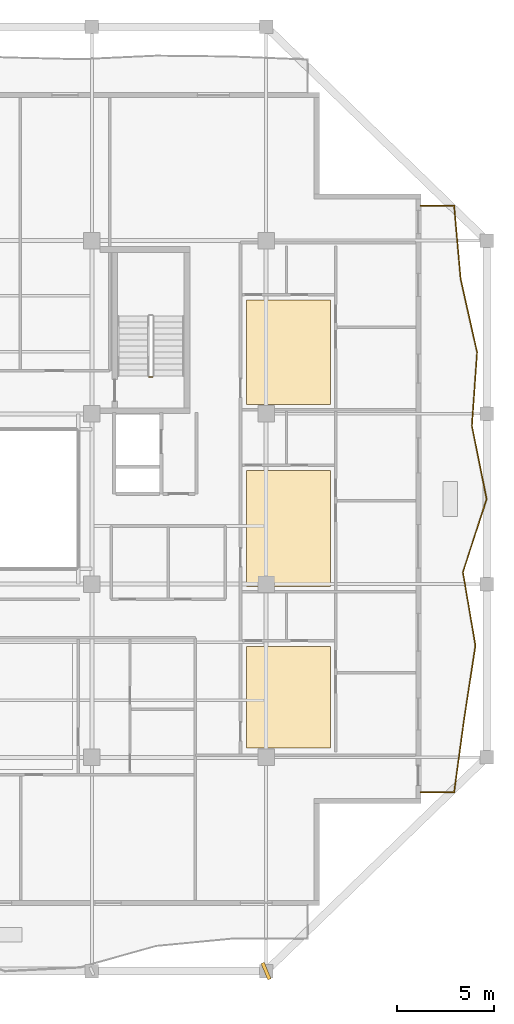
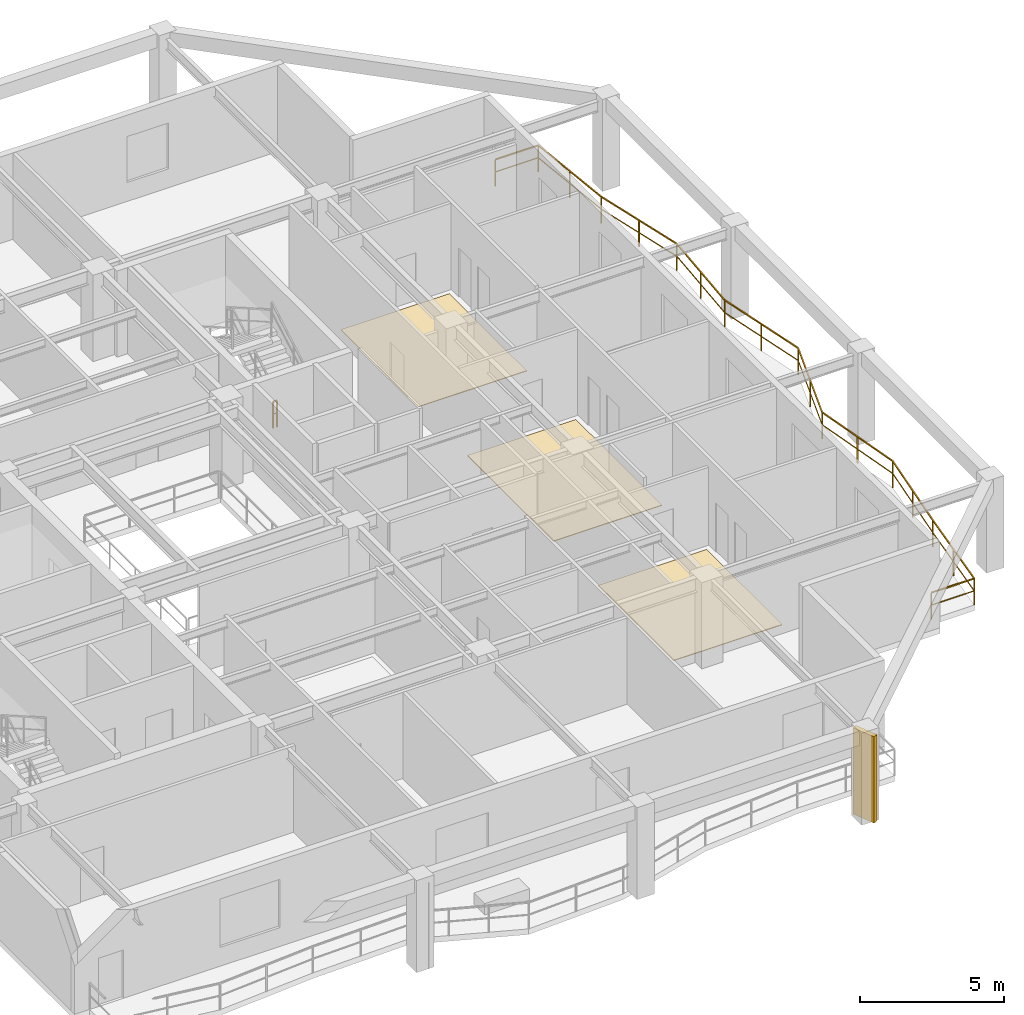
# One storey, part 10 of 12: 3 coverings, 2 railings, 1 shading device.
"""IFC4 building model written with IfcOpenShell, lengths in metres."""

from ifc_helpers import new_model, si_unit, direction, frame, origin, origin_2d, place, context, subcontext, project, spatial, polyline, rectangle, outline, extrude, material, layer, layer_set, type_object, element, save


model = new_model("IFC4")

# Units and contexts
model_context = context("Model", 3, precision=1e-05, world=origin(), true_north=direction((0.0, 1.0)))
body_context = subcontext(model_context, "Body", "Model", "MODEL_VIEW")
ifc_project = project(units=[si_unit("LENGTHUNIT", "METRE"), si_unit("AREAUNIT", "SQUARE_METRE"), si_unit("VOLUMEUNIT", "CUBIC_METRE"), si_unit("PLANEANGLEUNIT", "RADIAN"), si_unit("MASSUNIT", "GRAM", prefix="KILO")], contexts=[model_context])

# Site, building, storey
site_placement = place(None, origin())
site = spatial("IfcSite", under=ifc_project, at=site_placement, CompositionType="ELEMENT")
building_placement = place(site_placement, origin())
building = spatial("IfcBuilding", under=site, at=building_placement, Name="Kundavana Baori Tower", CompositionType="ELEMENT")
storey_placement = place(building_placement, frame((0.0, 0.0, 233.60009765625)))
storey = spatial("IfcBuildingStorey", under=building, at=storey_placement, Name="L57", CompositionType="ELEMENT", Elevation=233.60009765625)

# Coverings
ifc_material_1 = material(Name="Honed Kota Stone and Terrazzo Flooring", Category="masonry")
ifc_layer = layer(ifc_material_1, 0.030029296875, Name="COV-INT-FLR")
ifc_layer_set = layer_set([ifc_layer], Name="Honed Kota Stone and Terrazzo Flooring")
covering_type = type_object("IfcCoveringType", Name="COV-INT-FLR", PredefinedType="FLOORING", material=ifc_layer_set)
covering_1_placement = place(storey_placement, origin())
element("IfcCovering", 1, at=covering_1_placement, inside=storey, type_object=covering_type, Name="L57 Room Finished Stone Flooring 5", PredefinedType="FLOORING", context=body_context, shape_type="SweptSolid", body=[
    extrude(outline(polyline([(41.780029296875, 15.72998046875), (46.1298828125, 15.72998046875), (46.1298828125, 20.97998046875), (41.780029296875, 20.97998046875), (41.780029296875, 15.72998046875)])), origin(), (0.0, 0.0, 1.0), 0.02978515625),
])
covering_2_placement = place(storey_placement, origin())
element("IfcCovering", 2, at=covering_2_placement, inside=storey, type_object=covering_type, Name="L57 Room Finished Stone Flooring 6", PredefinedType="FLOORING", context=body_context, shape_type="SweptSolid", body=[
    extrude(outline(polyline([(41.780029296875, 24.080078125), (46.1298828125, 24.080078125), (46.1298828125, 30.070068359375), (41.780029296875, 30.070068359375), (41.780029296875, 24.080078125)])), origin(), (0.0, 0.0, 1.0), 0.02978515625),
])
covering_3_placement = place(storey_placement, origin())
element("IfcCovering", 3, at=covering_3_placement, inside=storey, type_object=covering_type, Name="L57 Room Finished Stone Flooring 7", PredefinedType="FLOORING", context=body_context, shape_type="SweptSolid", body=[
    extrude(outline(polyline([(41.780029296875, 33.47998046875), (46.1298828125, 33.47998046875), (46.1298828125, 38.8701171875), (41.780029296875, 38.8701171875), (41.780029296875, 33.47998046875)])), origin(), (0.0, 0.0, 1.0), 0.02978515625),
])

# Railings
ifc_material_2 = material(Name="Architectural Patinated Bronze Metalwork")
railing_type_1 = type_object("IfcRailingType", Name="RL-BAL-1150", PredefinedType="BALUSTRADE", material=ifc_material_2)
railing_1_placement = place(storey_placement, frame((50.800048828125, 43.75, 0.0)))
element("IfcRailing", 4, at=railing_1_placement, inside=storey, type_object=railing_type_1, Name="L57 Loggia Balcony Balustrade E", PredefinedType="BALUSTRADE", context=body_context, shape_type="SweptSolid", body=[
    extrude(rectangle(XDim=0.048095703125, YDim=0.048095703125, at=origin_2d()), frame((0.0, 0.0, 1.1259765625), z_axis=(1.0, 0.0, 0.0), x_axis=(0.0, 1.0, 0.0)), (0.0, 0.0, 1.0), 1.719970703125),
    extrude(rectangle(XDim=0.03125, YDim=0.03125, at=origin_2d()), frame((0.0, 0.0, 0.597900390625), z_axis=(1.0, 0.0, 0.0), x_axis=(0.0, 1.0, 0.0)), (0.0, 0.0, 1.0), 1.719970703125),
    extrude(rectangle(XDim=0.048095703125, YDim=0.048095703125, at=origin_2d()), frame((1.719970703125, 0.0, 1.1259765625), z_axis=(0.088845505255, -0.996045418742, 0.0), x_axis=(0.996045418742, 0.088845505255, 0.0)), (0.0, 0.0, 1.0), 3.80322265625),
    extrude(rectangle(XDim=0.03125, YDim=0.03125, at=origin_2d()), frame((1.719970703125, 0.0, 0.597900390625), z_axis=(0.088845505255, -0.996045418742, 0.0), x_axis=(0.996045418742, 0.088845505255, 0.0)), (0.0, 0.0, 1.0), 3.80322265625),
    extrude(rectangle(XDim=0.048095703125, YDim=0.048095703125, at=origin_2d()), frame((2.057861328125, -3.7880859375, 1.1259765625), z_axis=(0.218795108321, -0.975770823798, 0.0), x_axis=(0.975770823798, 0.218795108321, 0.0)), (0.0, 0.0, 1.0), 3.880859375),
    extrude(rectangle(XDim=0.03125, YDim=0.03125, at=origin_2d()), frame((2.057861328125, -3.7880859375, 0.597900390625), z_axis=(0.218795108321, -0.975770823798, 0.0), x_axis=(0.975770823798, 0.218795108321, 0.0)), (0.0, 0.0, 1.0), 3.880859375),
    extrude(rectangle(XDim=0.048095703125, YDim=0.048095703125, at=origin_2d()), frame((2.906982421875, -7.574951171875, 1.1259765625), z_axis=(-0.070351300401, -0.997522277712, 0.0), x_axis=(0.997522277712, -0.070351300401, 0.0)), (0.0, 0.0, 1.0), 3.796630859375),
    extrude(rectangle(XDim=0.03125, YDim=0.03125, at=origin_2d()), frame((2.906982421875, -7.574951171875, 0.597900390625), z_axis=(-0.070351300401, -0.997522277712, 0.0), x_axis=(0.997522277712, -0.070351300401, 0.0)), (0.0, 0.0, 1.0), 3.796630859375),
    extrude(rectangle(XDim=0.048095703125, YDim=0.048095703125, at=origin_2d()), frame((2.639892578125, -11.362060546875, 1.1259765625), z_axis=(0.19672373461, -0.980458959998, 0.0), x_axis=(0.980458959998, 0.19672373461, 0.0)), (0.0, 0.0, 1.0), 3.86328125),
    extrude(rectangle(XDim=0.03125, YDim=0.03125, at=origin_2d()), frame((2.639892578125, -11.362060546875, 0.597900390625), z_axis=(0.19672373461, -0.980458959998, 0.0), x_axis=(0.980458959998, 0.19672373461, 0.0)), (0.0, 0.0, 1.0), 3.86328125),
    extrude(rectangle(XDim=0.048095703125, YDim=0.048095703125, at=origin_2d()), frame((3.39990234375, -15.14990234375, 1.1259765625), z_axis=(-0.307660273165, -0.95149627236, 0.0), x_axis=(0.95149627236, -0.307660273165, 0.0)), (0.0, 0.0, 1.0), 3.981201171875),
    extrude(rectangle(XDim=0.03125, YDim=0.03125, at=origin_2d()), frame((3.39990234375, -15.14990234375, 0.597900390625), z_axis=(-0.307660273165, -0.95149627236, 0.0), x_axis=(0.95149627236, -0.307660273165, 0.0)), (0.0, 0.0, 1.0), 3.981201171875),
    extrude(rectangle(XDim=0.048095703125, YDim=0.048095703125, at=origin_2d()), frame((2.175048828125, -18.93798828125, 1.1259765625), z_axis=(0.16839585765, -0.985719450516, 0.0), x_axis=(0.985719450516, 0.16839585765, 0.0)), (0.0, 0.0, 1.0), 3.842041015625),
    extrude(rectangle(XDim=0.03125, YDim=0.03125, at=origin_2d()), frame((2.175048828125, -18.93798828125, 0.597900390625), z_axis=(0.16839585765, -0.985719450516, 0.0), x_axis=(0.985719450516, 0.16839585765, 0.0)), (0.0, 0.0, 1.0), 3.842041015625),
    extrude(rectangle(XDim=0.048095703125, YDim=0.048095703125, at=origin_2d()), frame((2.822021484375, -22.72509765625, 1.1259765625), z_axis=(-0.151913531628, -0.988393787368, 0.0), x_axis=(0.988393787368, -0.151913531628, 0.0)), (0.0, 0.0, 1.0), 3.831298828125),
    extrude(rectangle(XDim=0.03125, YDim=0.03125, at=origin_2d()), frame((2.822021484375, -22.72509765625, 0.597900390625), z_axis=(-0.151913531628, -0.988393787368, 0.0), x_axis=(0.988393787368, -0.151913531628, 0.0)), (0.0, 0.0, 1.0), 3.831298828125),
    extrude(rectangle(XDim=0.048095703125, YDim=0.048095703125, at=origin_2d()), frame((2.239990234375, -26.511962890625, 1.1259765625), z_axis=(-0.136002139567, -0.990708543434, 0.0), x_axis=(0.990708543434, -0.136002139567, 0.0)), (0.0, 0.0, 1.0), 3.82373046875),
    extrude(rectangle(XDim=0.03125, YDim=0.03125, at=origin_2d()), frame((2.239990234375, -26.511962890625, 0.597900390625), z_axis=(-0.136002139567, -0.990708543434, 0.0), x_axis=(0.990708543434, -0.136002139567, 0.0)), (0.0, 0.0, 1.0), 3.82373046875),
    extrude(rectangle(XDim=0.048095703125, YDim=0.048095703125, at=origin_2d()), frame((1.719970703125, -30.300048828125, 1.1259765625), z_axis=(-1.0, 0.0, 0.0), x_axis=(0.0, -1.0, 0.0)), (0.0, 0.0, 1.0), 1.719970703125),
    extrude(rectangle(XDim=0.03125, YDim=0.03125, at=origin_2d()), frame((1.719970703125, -30.300048828125, 0.597900390625), z_axis=(-1.0, 0.0, 0.0), x_axis=(0.0, -1.0, 0.0)), (0.0, 0.0, 1.0), 1.719970703125),
    extrude(rectangle(XDim=0.0419921875, YDim=0.0419921875, at=origin_2d()), origin(), (0.0, 0.0, 1.0), 1.101806640625),
    extrude(rectangle(XDim=0.0419921875, YDim=0.0419921875, at=origin_2d()), frame((1.719970703125, 0.0, 0.0)), (0.0, 0.0, 1.0), 1.101806640625),
    extrude(rectangle(XDim=0.0419921875, YDim=0.0419921875, at=origin_2d()), frame((1.888916015625, -1.89404296875, 0.0)), (0.0, 0.0, 1.0), 1.101806640625),
    extrude(rectangle(XDim=0.0419921875, YDim=0.0419921875, at=origin_2d()), frame((2.057861328125, -3.7880859375, 0.0)), (0.0, 0.0, 1.0), 1.101806640625),
    extrude(rectangle(XDim=0.0419921875, YDim=0.0419921875, at=origin_2d()), frame((2.482421875, -5.681640625, 0.0)), (0.0, 0.0, 1.0), 1.101806640625),
    extrude(rectangle(XDim=0.0419921875, YDim=0.0419921875, at=origin_2d()), frame((2.906982421875, -7.574951171875, 0.0)), (0.0, 0.0, 1.0), 1.101806640625),
    extrude(rectangle(XDim=0.0419921875, YDim=0.0419921875, at=origin_2d()), frame((2.7734375, -9.468505859375, 0.0)), (0.0, 0.0, 1.0), 1.101806640625),
    extrude(rectangle(XDim=0.0419921875, YDim=0.0419921875, at=origin_2d()), frame((2.639892578125, -11.362060546875, 0.0)), (0.0, 0.0, 1.0), 1.101806640625),
    extrude(rectangle(XDim=0.0419921875, YDim=0.0419921875, at=origin_2d()), frame((3.02001953125, -13.255859375, 0.0)), (0.0, 0.0, 1.0), 1.101806640625),
    extrude(rectangle(XDim=0.0419921875, YDim=0.0419921875, at=origin_2d()), frame((3.39990234375, -15.14990234375, 0.0)), (0.0, 0.0, 1.0), 1.101806640625),
    extrude(rectangle(XDim=0.0419921875, YDim=0.0419921875, at=origin_2d()), frame((2.78759765625, -17.0439453125, 0.0)), (0.0, 0.0, 1.0), 1.101806640625),
    extrude(rectangle(XDim=0.0419921875, YDim=0.0419921875, at=origin_2d()), frame((2.175048828125, -18.93798828125, 0.0)), (0.0, 0.0, 1.0), 1.101806640625),
    extrude(rectangle(XDim=0.0419921875, YDim=0.0419921875, at=origin_2d()), frame((2.49853515625, -20.83154296875, 0.0)), (0.0, 0.0, 1.0), 1.101806640625),
    extrude(rectangle(XDim=0.0419921875, YDim=0.0419921875, at=origin_2d()), frame((2.822021484375, -22.72509765625, 0.0)), (0.0, 0.0, 1.0), 1.101806640625),
    extrude(rectangle(XDim=0.0419921875, YDim=0.0419921875, at=origin_2d()), frame((2.531005859375, -24.61865234375, 0.0)), (0.0, 0.0, 1.0), 1.101806640625),
    extrude(rectangle(XDim=0.0419921875, YDim=0.0419921875, at=origin_2d()), frame((2.239990234375, -26.511962890625, 0.0)), (0.0, 0.0, 1.0), 1.101806640625),
    extrude(rectangle(XDim=0.0419921875, YDim=0.0419921875, at=origin_2d()), frame((1.97998046875, -28.406005859375, 0.0)), (0.0, 0.0, 1.0), 1.101806640625),
    extrude(rectangle(XDim=0.0419921875, YDim=0.0419921875, at=origin_2d()), frame((1.719970703125, -30.300048828125, 0.0)), (0.0, 0.0, 1.0), 1.101806640625),
    extrude(rectangle(XDim=0.0419921875, YDim=0.0419921875, at=origin_2d()), frame((0.0, -30.300048828125, 0.0)), (0.0, 0.0, 1.0), 1.101806640625),
])
ifc_material_3 = material(Name="Architectural Patinated Bronze Metalwork")
railing_type_2 = type_object("IfcRailingType", Name="RL-GRD-1150", PredefinedType="GUARDRAIL", material=ifc_material_3)
railing_2_placement = place(storey_placement, frame((36.929931640625, 34.89990234375, 0.0)))
element("IfcRailing", 5, at=railing_2_placement, inside=storey, type_object=railing_type_2, Name="L57 ST3 stair guard 4", PredefinedType="GUARDRAIL", context=body_context, shape_type="SweptSolid", body=[
    extrude(rectangle(XDim=0.048095703125, YDim=0.048095703125, at=origin_2d()), frame((0.0, 0.0, 1.1259765625), z_axis=(-1.0, 0.0, 0.0), x_axis=(0.0, -1.0, 0.0)), (0.0, 0.0, 1.0), 0.159912109375),
    extrude(rectangle(XDim=0.03125, YDim=0.03125, at=origin_2d()), frame((0.0, 0.0, 0.597900390625), z_axis=(-1.0, 0.0, 0.0), x_axis=(0.0, -1.0, 0.0)), (0.0, 0.0, 1.0), 0.159912109375),
    extrude(rectangle(XDim=0.0419921875, YDim=0.0419921875, at=origin_2d()), origin(), (0.0, 0.0, 1.0), 1.101806640625),
    extrude(rectangle(XDim=0.0419921875, YDim=0.0419921875, at=origin_2d()), frame((-0.159912109375, 0.0, 0.0)), (0.0, 0.0, 1.0), 1.101806640625),
])

# Shading device
ifc_material_4 = material(Name="Red-Buff Dholpur Sandstone Cladding on Concrete C40/50", Category="masonry")
shading_device_type = type_object("IfcShadingDeviceType", Name="SHD-FIN-920", PredefinedType="JALOUSIE", material=ifc_material_4)
shading_device_placement = place(storey_placement, frame((42.800048828125, 4.199951171875, 0.0), z_axis=(0.0, 0.0, 1.0), x_axis=(0.92226845142, 0.386550001314, 0.0)))
element("IfcShadingDevice", 6, at=shading_device_placement, inside=storey, type_object=shading_device_type, Name="L57 Sweeping Dholpur Sandstone Facade Fin 4", PredefinedType="JALOUSIE", context=body_context, shape_type="SweptSolid", body=[
    extrude(rectangle(XDim=0.179931640625, YDim=0.919921875, at=origin_2d()), origin(), (0.0, 0.0, 1.0), 3.659912109375),
])

save(model, "model.ifc")
